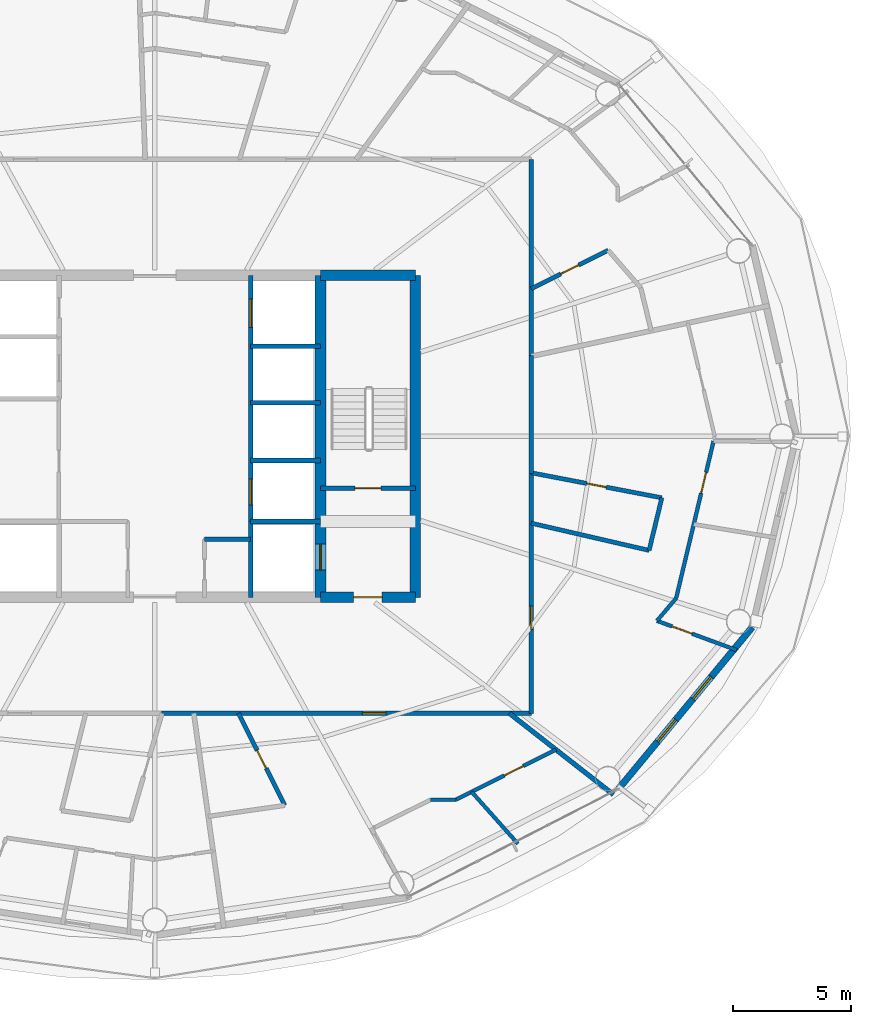
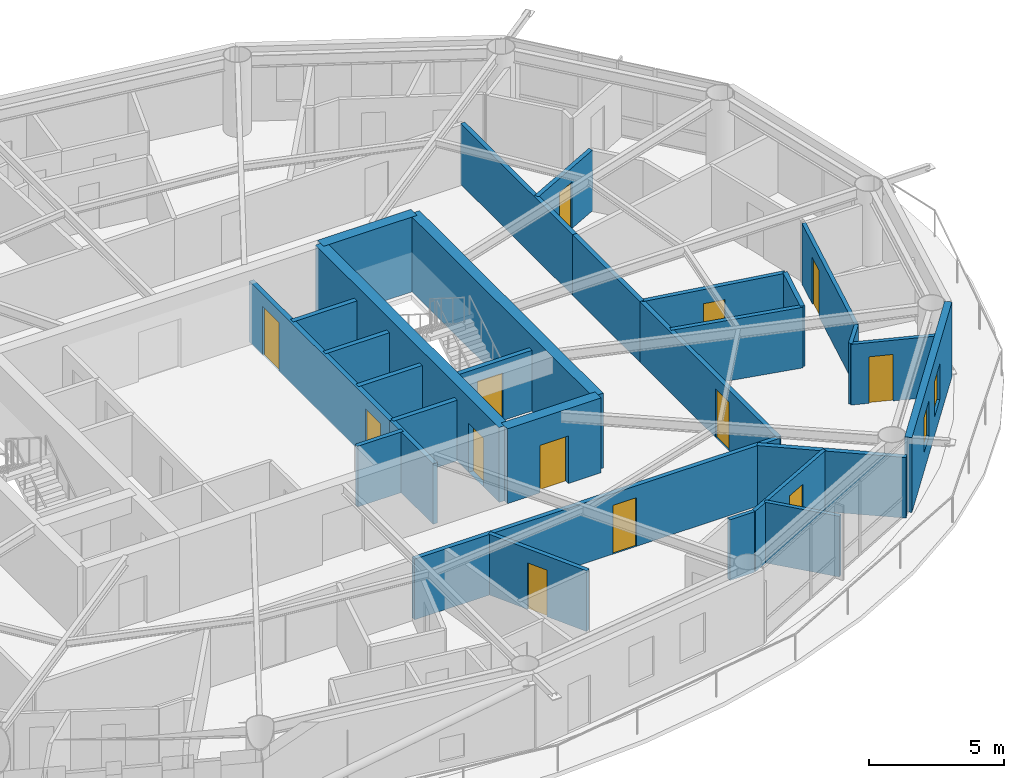
# One storey, part 23 of 30: 29 walls, 13 doors, 2 windows, 15 openings.
"""IFC4 building model written with IfcOpenShell, lengths in metres."""

from ifc_helpers import new_model, si_unit, direction, frame, frame_2d, origin, place, context, subcontext, project, spatial, rectangle, extrude, material, layer, layer_set, type_object, element, fill, save


model = new_model("IFC4")

# Units and contexts
model_context = context("Model", 3, precision=1e-05, world=origin(), true_north=direction((0.0, 1.0)))
body_context = subcontext(model_context, "Body", "Model", "MODEL_VIEW")
ifc_project = project(units=[si_unit("LENGTHUNIT", "METRE"), si_unit("AREAUNIT", "SQUARE_METRE"), si_unit("VOLUMEUNIT", "CUBIC_METRE"), si_unit("PLANEANGLEUNIT", "RADIAN"), si_unit("MASSUNIT", "GRAM", prefix="KILO")], contexts=[model_context])

# Site, building, storey
site_placement = place(None, origin())
site = spatial("IfcSite", under=ifc_project, at=site_placement, CompositionType="ELEMENT")
building_placement = place(site_placement, origin())
building = spatial("IfcBuilding", under=site, at=building_placement, Name="Sarneth Arch Tower", CompositionType="ELEMENT")
storey_placement = place(building_placement, frame((0.0, 0.0, 161.39990234375)))
storey = spatial("IfcBuildingStorey", under=building, at=storey_placement, Name="L40", CompositionType="ELEMENT", Elevation=161.39990234375)

# Wall, opening, door
ifc_material_1 = material(Name="Concrete C50/60", Category="concrete")
ifc_layer_1 = layer(ifc_material_1, 0.449951171875)
ifc_layer_set_1 = layer_set([ifc_layer_1], Name="Concrete C50/60")
wall_type_1 = type_object("IfcWallType", Name="WALL-CORE-450", PredefinedType="SHEAR", material=ifc_layer_set_1)
wall_1_placement = place(storey_placement, frame((55.0, 35.199951171875, 0.0), z_axis=(0.0, 0.0, 1.0), x_axis=(1.0, 0.0, 0.0)))
wall_1 = element("IfcWall", 1, at=wall_1_placement, inside=storey, type_object=wall_type_1, Name="L40 Core shear wall S-E", PredefinedType="SHEAR", context=body_context, shape_type="SweptSolid", body=[
    extrude(rectangle(XDim=4.0, YDim=0.449951171875, at=frame_2d((2.0, 0.0))), origin(), (0.0, 0.0, 1.0), 3.380126953125),
])
opening_1_placement = place(wall_1_placement, frame((1.39990234375, 0.0, 0.0)))
opening_1 = element("IfcOpeningElement", 2, at=opening_1_placement, cuts=wall_1, Name="Opening FD-02", PredefinedType="OPENING", context=body_context, shape_type="SweptSolid", body=[
    extrude(rectangle(XDim=1.199951171875, YDim=2.14990234375, at=frame_2d((0.60009765625, 1.074951171875))), frame((0.0, 0.23486328125, 0.0), z_axis=(0.0, -1.0, 0.0), x_axis=(1.0, 0.0, 0.0)), (0.0, 0.0, 1.0), 0.469970703125),
])
ifc_material_2 = material(Name="Galvanised Steel S275 fire door set", Category="steel")
door_type_1 = type_object("IfcDoorType", Name="DR-FD90-1200", OperationType="SINGLE_SWING_LEFT", PredefinedType="DOOR", material=ifc_material_2)
door_1_placement = place(opening_1_placement, origin())
door_1 = element("IfcDoor", 3, at=door_1_placement, inside=storey, type_object=door_type_1, Name="L40 Firefighting lobby 2 exit door", OperationType="SINGLE_SWING_RIGHT", OverallHeight=2.14990234375, OverallWidth=1.199951171875, PredefinedType="DOOR", context=body_context, shape_type="SweptSolid", body=[
    extrude(rectangle(XDim=1.199951171875, YDim=2.14990234375, at=frame_2d((0.60009765625, 1.074951171875))), frame((0.0, 0.02490234375, 0.0), z_axis=(0.0, -1.0, 0.0), x_axis=(1.0, 0.0, 0.0)), (0.0, 0.0, 1.0), 0.050048828125),
])
fill(opening_1, door_1)

# Walls
wall_2_placement = place(storey_placement, frame((55.0, 48.800048828125, 0.0), z_axis=(0.0, 0.0, 1.0), x_axis=(1.0, 0.0, 0.0)))
element("IfcWall", 4, at=wall_2_placement, inside=storey, type_object=wall_type_1, Name="L40 Core shear wall N-E", PredefinedType="SHEAR", context=body_context, shape_type="SweptSolid", body=[
    extrude(rectangle(XDim=4.0, YDim=0.449951171875, at=frame_2d((2.0, 0.0))), origin(), (0.0, 0.0, 1.0), 3.380126953125),
])
wall_3_placement = place(storey_placement, frame((59.0, 35.199951171875, 0.0), z_axis=(0.0, 0.0, 1.0), x_axis=(0.0, 1.0, 0.0)))
element("IfcWall", 5, at=wall_3_placement, inside=storey, type_object=wall_type_1, Name="L40 Core shear wall E", PredefinedType="SHEAR", context=body_context, shape_type="SweptSolid", body=[
    extrude(rectangle(XDim=13.60009765625, YDim=0.449951171875, at=frame_2d((6.800048828125, 0.0))), origin(), (0.0, 0.0, 1.0), 3.380126953125),
])

# Wall, opening, door
wall_4_placement = place(storey_placement, frame((55.0, 35.199951171875, 0.0), z_axis=(0.0, 0.0, 1.0), x_axis=(0.0, 1.0, 0.0)))
wall_4 = element("IfcWall", 6, at=wall_4_placement, inside=storey, type_object=wall_type_1, Name="L40 Core shear wall WEB-E", PredefinedType="SHEAR", context=body_context, shape_type="SweptSolid", body=[
    extrude(rectangle(XDim=13.60009765625, YDim=0.449951171875, at=frame_2d((6.800048828125, 0.0))), origin(), (0.0, 0.0, 1.0), 3.380126953125),
])
opening_2_placement = place(wall_4_placement, frame((1.14990234375, 0.0, 0.0)))
opening_2 = element("IfcOpeningElement", 7, at=opening_2_placement, cuts=wall_4, Name="Opening LD-1", PredefinedType="OPENING", context=body_context, shape_type="SweptSolid", body=[
    extrude(rectangle(XDim=1.10009765625, YDim=2.199951171875, at=frame_2d((0.550048828125, 1.10009765625))), frame((0.0, 0.23486328125, 0.0), z_axis=(0.0, -1.0, 0.0), x_axis=(1.0, 0.0, 0.0)), (0.0, 0.0, 1.0), 0.469970703125),
])
ifc_material_3 = material(Name="Brushed Stainless Steel 304 lift landing door", Category="steel")
door_type_2 = type_object("IfcDoorType", Name="DR-LIFT-SLIDE-1100", OperationType="SLIDING_TO_LEFT", PredefinedType="DOOR", material=ifc_material_3)
door_2_placement = place(opening_2_placement, origin())
door_2 = element("IfcDoor", 8, at=door_2_placement, inside=storey, type_object=door_type_2, Name="L40 Firefighting lift landing door FL-2", OperationType="SLIDING_TO_RIGHT", OverallHeight=2.199951171875, OverallWidth=1.10009765625, PredefinedType="DOOR", context=body_context, shape_type="SweptSolid", body=[
    extrude(rectangle(XDim=1.10009765625, YDim=2.199951171875, at=frame_2d((0.550048828125, 1.10009765625))), frame((0.0, 0.02490234375, 0.0), z_axis=(0.0, -1.0, 0.0), x_axis=(1.0, 0.0, 0.0)), (0.0, 0.0, 1.0), 0.050048828125),
])
fill(opening_2, door_2)

ifc_material_4 = material(Name="Double steel-stud corridor fire wall", Category="steel")
ifc_layer_2 = layer(ifc_material_4, 0.18994140625)
ifc_layer_set_2 = layer_set([ifc_layer_2], Name="Double steel-stud corridor fire wall")
wall_type_2 = type_object("IfcWallType", Name="WALL-CORR-190", PredefinedType="PARTITIONING", material=ifc_layer_set_2)
wall_5_placement = place(storey_placement, frame((63.89990234375, 30.300048828125, 0.0), z_axis=(0.0, 0.0, 1.0), x_axis=(-1.0, 0.0, 0.0)))
wall_5 = element("IfcWall", 9, at=wall_5_placement, inside=storey, type_object=wall_type_2, Name="L40 Interior partition W-L40-TP-017", PredefinedType="PARTITIONING", context=body_context, shape_type="SweptSolid", body=[
    extrude(rectangle(XDim=15.62548828125, YDim=0.18994140625, at=frame_2d((7.812744140625, 0.0))), origin(), (0.0, 0.0, 1.0), 2.739990234375),
])
opening_3_placement = place(wall_5_placement, frame((6.13720703125, 0.0, 0.0)))
opening_3 = element("IfcOpeningElement", 10, at=opening_3_placement, cuts=wall_5, Name="Opening FD-08", PredefinedType="OPENING", context=body_context, shape_type="SweptSolid", body=[
    extrude(rectangle(XDim=1.0, YDim=2.199951171875, at=frame_2d((0.5, 1.10009765625))), frame((0.0, 0.10498046875, 0.0), z_axis=(0.0, -1.0, 0.0), x_axis=(1.0, 0.0, 0.0)), (0.0, 0.0, 1.0), 0.2099609375),
])
ifc_material_5 = material(Name="Hardwood timber acoustic fire door", Category="wood")
door_type_3 = type_object("IfcDoorType", Name="DR-FD60-1000", OperationType="SINGLE_SWING_LEFT", PredefinedType="DOOR", material=ifc_material_5)
door_3_placement = place(opening_3_placement, origin())
door_3 = element("IfcDoor", 11, at=door_3_placement, inside=storey, type_object=door_type_3, Name="L40 Interior door DR-L40-U7-ENT", OperationType="SINGLE_SWING_LEFT", OverallHeight=2.199951171875, OverallWidth=1.0, PredefinedType="DOOR", context=body_context, shape_type="SweptSolid", body=[
    extrude(rectangle(XDim=1.0, YDim=2.199951171875, at=frame_2d((0.5, 1.10009765625))), frame((0.0, 0.02490234375, 0.0), z_axis=(0.0, -1.0, 0.0), x_axis=(1.0, 0.0, 0.0)), (0.0, 0.0, 1.0), 0.050048828125),
])
fill(opening_3, door_3)

wall_6_placement = place(storey_placement, frame((63.89990234375, 40.490478515625, 0.0), z_axis=(0.0, 0.0, 1.0), x_axis=(0.0, -1.0, 0.0)))
wall_6 = element("IfcWall", 12, at=wall_6_placement, inside=storey, type_object=wall_type_2, Name="L40 Interior partition W-L40-TP-019", PredefinedType="PARTITIONING", context=body_context, shape_type="SweptSolid", body=[
    extrude(rectangle(XDim=10.1904296875, YDim=0.18994140625, at=frame_2d((5.09521484375, 0.0))), origin(), (0.0, 0.0, 1.0), 2.739990234375),
])
opening_4_placement = place(wall_6_placement, frame((5.659423828125, 0.0, 0.0)))
opening_4 = element("IfcOpeningElement", 13, at=opening_4_placement, cuts=wall_6, Name="Opening FD-08", PredefinedType="OPENING", context=body_context, shape_type="SweptSolid", body=[
    extrude(rectangle(XDim=1.0, YDim=2.199951171875, at=frame_2d((0.5, 1.10009765625))), frame((0.0, 0.10498046875, 0.0), z_axis=(0.0, -1.0, 0.0), x_axis=(1.0, 0.0, 0.0)), (0.0, 0.0, 1.0), 0.2099609375),
])
door_4_placement = place(opening_4_placement, origin())
door_4 = element("IfcDoor", 14, at=door_4_placement, inside=storey, type_object=door_type_3, Name="L40 Interior door DR-L40-U8-ENT", OperationType="SINGLE_SWING_LEFT", OverallHeight=2.199951171875, OverallWidth=1.0, PredefinedType="DOOR", context=body_context, shape_type="SweptSolid", body=[
    extrude(rectangle(XDim=1.0, YDim=2.199951171875, at=frame_2d((0.5, 1.10009765625))), frame((0.0, 0.02490234375, 0.0), z_axis=(0.0, -1.0, 0.0), x_axis=(1.0, 0.0, 0.0)), (0.0, 0.0, 1.0), 0.050048828125),
])
fill(opening_4, door_4)

# Walls
wall_7_placement = place(storey_placement, frame((63.89990234375, 53.699951171875, 0.0), z_axis=(0.0, 0.0, 1.0), x_axis=(0.0, -1.0, 0.0)))
element("IfcWall", 15, at=wall_7_placement, inside=storey, type_object=wall_type_2, Name="L40 Interior partition W-L40-TP-002", PredefinedType="PARTITIONING", context=body_context, shape_type="SweptSolid", body=[
    extrude(rectangle(XDim=8.3203125, YDim=0.18994140625, at=frame_2d((4.16015625, 0.0))), origin(), (0.0, 0.0, 1.0), 2.739990234375),
])
wall_8_placement = place(storey_placement, frame((63.89990234375, 45.412353515625, 0.0), z_axis=(0.0, 0.0, 1.0), x_axis=(0.0, -1.0, 0.0)))
element("IfcWall", 16, at=wall_8_placement, inside=storey, type_object=wall_type_2, Name="L40 Interior partition W-L40-TP-021", PredefinedType="PARTITIONING", context=body_context, shape_type="SweptSolid", body=[
    extrude(rectangle(XDim=4.987060546875, YDim=0.18994140625, at=frame_2d((2.49365234375, 0.0))), origin(), (0.0, 0.0, 1.0), 2.739990234375),
])

# Wall, openings, windows
ifc_material_6 = material(Name="Extruded terracotta rainscreen on Concrete C40/50 backing", Category="masonry")
ifc_layer_3 = layer(ifc_material_6, 0.280029296875)
ifc_layer_set_3 = layer_set([ifc_layer_3], Name="Extruded terracotta rainscreen on Concrete C40/50 backing")
wall_type_3 = type_object("IfcWallType", Name="WALL-EXT-TERRA-280", PredefinedType="SOLIDWALL", material=ifc_layer_set_3)
wall_9_placement = place(storey_placement, frame((67.576171875, 27.09423828125, 0.0), z_axis=(0.0, 0.0, 1.0), x_axis=(0.637333477683, 0.770588111915, 0.0)))
wall_9 = element("IfcWall", 17, at=wall_9_placement, inside=storey, type_object=wall_type_3, Name="L40 Terracotta perimeter wall 15", PredefinedType="SOLIDWALL", context=body_context, shape_type="SweptSolid", body=[
    extrude(rectangle(XDim=8.874755859375, YDim=0.280029296875, at=frame_2d((4.4375, 0.0))), origin(), (0.0, 0.0, 1.0), 3.380126953125),
])
opening_5_placement = place(wall_9_placement, frame((2.606689453125, 0.0, 0.85009765625)))
opening_5 = element("IfcOpeningElement", 18, at=opening_5_placement, cuts=wall_9, Name="Opening W-10", PredefinedType="OPENING", context=body_context, shape_type="SweptSolid", body=[
    extrude(rectangle(XDim=1.199951171875, YDim=1.60009765625, at=frame_2d((0.60009765625, 0.800048828125))), frame((0.0, 0.14990234375, 0.0), z_axis=(0.0, -1.0, 0.0), x_axis=(1.0, 0.0, 0.0)), (0.0, 0.0, 1.0), 0.300048828125),
])
opening_6_placement = place(wall_9_placement, frame((4.951904296875, 0.0, 0.85009765625)))
opening_6 = element("IfcOpeningElement", 19, at=opening_6_placement, cuts=wall_9, Name="Opening W-10", PredefinedType="OPENING", context=body_context, shape_type="SweptSolid", body=[
    extrude(rectangle(XDim=1.199951171875, YDim=1.60009765625, at=frame_2d((0.60009765625, 0.800048828125))), frame((0.0, 0.14990234375, 0.0), z_axis=(0.0, -1.0, 0.0), x_axis=(1.0, 0.0, 0.0)), (0.0, 0.0, 1.0), 0.300048828125),
])
ifc_material_7 = material(Name="Thermally broken Aluminium 6063-T6 and low-e laminated IGU", Category="aluminium")
window_type = type_object("IfcWindowType", Name="WIN-TWR-1200x1600", PartitioningType="SINGLE_PANEL", PredefinedType="WINDOW", material=ifc_material_7)
window_1_placement = place(opening_5_placement, origin())
window_1 = element("IfcWindow", 20, at=window_1_placement, inside=storey, type_object=window_type, Name="L40 Exterior window 15A", OverallHeight=1.60009765625, OverallWidth=1.199951171875, PartitioningType="SINGLE_PANEL", PredefinedType="WINDOW", context=body_context, shape_type="SweptSolid", body=[
    extrude(rectangle(XDim=1.199951171875, YDim=1.60009765625, at=frame_2d((0.60009765625, 0.800048828125))), frame((0.0, 0.030029296875, 0.0), z_axis=(0.0, -1.0, 0.0), x_axis=(1.0, 0.0, 0.0)), (0.0, 0.0, 1.0), 0.06005859375),
])
fill(opening_5, window_1)
window_2_placement = place(opening_6_placement, origin())
window_2 = element("IfcWindow", 21, at=window_2_placement, inside=storey, type_object=window_type, Name="L40 Exterior window 15B", OverallHeight=1.60009765625, OverallWidth=1.199951171875, PartitioningType="SINGLE_PANEL", PredefinedType="WINDOW", context=body_context, shape_type="SweptSolid", body=[
    extrude(rectangle(XDim=1.199951171875, YDim=1.60009765625, at=frame_2d((0.60009765625, 0.800048828125))), frame((0.0, 0.030029296875, 0.0), z_axis=(0.0, -1.0, 0.0), x_axis=(1.0, 0.0, 0.0)), (0.0, 0.0, 1.0), 0.06005859375),
])
fill(opening_6, window_2)

# Wall, opening, door
ifc_material_8 = material(Name="Kitchen wet service chase wall", Category="gypsum")
ifc_layer_4 = layer(ifc_material_8, 0.159912109375)
ifc_layer_set_4 = layer_set([ifc_layer_4], Name="Kitchen wet service chase wall")
wall_type_4 = type_object("IfcWallType", Name="WALL-PLUMB-160", PredefinedType="PLUMBINGWALL", material=ifc_layer_set_4)
wall_10_placement = place(storey_placement, frame((60.71337890625, 26.64990234375, 0.0), z_axis=(0.0, 0.0, 1.0), x_axis=(0.894932492822, 0.446201561283, 0.0)))
wall_10 = element("IfcWall", 22, at=wall_10_placement, inside=storey, type_object=wall_type_4, Name="L40 Interior partition W-L40-TP-105", PredefinedType="PLUMBINGWALL", context=body_context, shape_type="SweptSolid", body=[
    extrude(rectangle(XDim=4.7294921875, YDim=0.159912109375, at=frame_2d((2.36474609375, 0.0))), origin(), (0.0, 0.0, 1.0), 2.739990234375),
])
opening_7_placement = place(wall_10_placement, frame((2.287841796875, 0.0, 0.0)))
opening_7 = element("IfcOpeningElement", 23, at=opening_7_placement, cuts=wall_10, Name="Opening ID-01", PredefinedType="OPENING", context=body_context, shape_type="SweptSolid", body=[
    extrude(rectangle(XDim=0.89990234375, YDim=2.10009765625, at=frame_2d((0.449951171875, 1.050048828125))), frame((0.0, 0.08984375, 0.0), z_axis=(0.0, -1.0, 0.0), x_axis=(1.0, 0.0, 0.0)), (0.0, 0.0, 1.0), 0.179931640625),
])
ifc_material_9 = material(Name="Engineered hardwood flush door", Category="wood")
door_type_4 = type_object("IfcDoorType", Name="DR-INT-900", OperationType="SINGLE_SWING_LEFT", PredefinedType="DOOR", material=ifc_material_9)
door_5_placement = place(opening_7_placement, origin())
door_5 = element("IfcDoor", 24, at=door_5_placement, inside=storey, type_object=door_type_4, Name="L40 Interior door DR-L40-U7-BED1", OperationType="SINGLE_SWING_LEFT", OverallHeight=2.10009765625, OverallWidth=0.89990234375, PredefinedType="DOOR", context=body_context, shape_type="SweptSolid", body=[
    extrude(rectangle(XDim=0.89990234375, YDim=2.10009765625, at=frame_2d((0.449951171875, 1.050048828125))), frame((0.0, 0.02490234375, 0.0), z_axis=(0.0, -1.0, 0.0), x_axis=(1.0, 0.0, 0.0)), (0.0, 0.0, 1.0), 0.050048828125),
])
fill(opening_7, door_5)

wall_11_placement = place(storey_placement, frame((70.019287109375, 35.15771484375, 0.0), z_axis=(0.0, 0.0, 1.0), x_axis=(0.231657621012, 0.972797382103, 0.0)))
wall_11 = element("IfcWall", 25, at=wall_11_placement, inside=storey, type_object=wall_type_4, Name="L40 Interior partition W-L40-TP-115", PredefinedType="PLUMBINGWALL", context=body_context, shape_type="SweptSolid", body=[
    extrude(rectangle(XDim=6.82177734375, YDim=0.159912109375, at=frame_2d((3.410888671875, 0.0))), origin(), (0.0, 0.0, 1.0), 2.739990234375),
])
opening_8_placement = place(wall_11_placement, frame((4.566650390625, 0.0, 0.0)))
opening_8 = element("IfcOpeningElement", 26, at=opening_8_placement, cuts=wall_11, Name="Opening ID-01", PredefinedType="OPENING", context=body_context, shape_type="SweptSolid", body=[
    extrude(rectangle(XDim=0.89990234375, YDim=2.10009765625, at=frame_2d((0.449951171875, 1.050048828125))), frame((0.0, 0.08984375, 0.0), z_axis=(0.0, -1.0, 0.0), x_axis=(1.0, 0.0, 0.0)), (0.0, 0.0, 1.0), 0.179931640625),
])
door_6_placement = place(opening_8_placement, origin())
door_6 = element("IfcDoor", 27, at=door_6_placement, inside=storey, type_object=door_type_4, Name="L40 Interior door DR-L40-U8-BED1", OperationType="SINGLE_SWING_LEFT", OverallHeight=2.10009765625, OverallWidth=0.89990234375, PredefinedType="DOOR", context=body_context, shape_type="SweptSolid", body=[
    extrude(rectangle(XDim=0.89990234375, YDim=2.10009765625, at=frame_2d((0.449951171875, 1.050048828125))), frame((0.0, 0.02490234375, 0.0), z_axis=(0.0, -1.0, 0.0), x_axis=(1.0, 0.0, 0.0)), (0.0, 0.0, 1.0), 0.050048828125),
])
fill(opening_8, door_6)

wall_12_placement = place(storey_placement, frame((69.20849609375, 34.204833984375, 0.0), z_axis=(0.0, 0.0, 1.0), x_axis=(0.938602834346, -0.344999593272, 0.0)))
wall_12 = element("IfcWall", 28, at=wall_12_placement, inside=storey, type_object=wall_type_4, Name="L40 Interior partition W-L40-TP-111", PredefinedType="PLUMBINGWALL", context=body_context, shape_type="SweptSolid", body=[
    extrude(rectangle(XDim=3.59130859375, YDim=0.159912109375, at=frame_2d((1.795654296875, 0.0))), origin(), (0.0, 0.0, 1.0), 2.739990234375),
])
opening_9_placement = place(wall_12_placement, frame((0.685546875, 0.0, 0.0)))
opening_9 = element("IfcOpeningElement", 29, at=opening_9_placement, cuts=wall_12, Name="Opening ID-01", PredefinedType="OPENING", context=body_context, shape_type="SweptSolid", body=[
    extrude(rectangle(XDim=0.89990234375, YDim=2.10009765625, at=frame_2d((0.449951171875, 1.050048828125))), frame((0.0, 0.08984375, 0.0), z_axis=(0.0, -1.0, 0.0), x_axis=(1.0, 0.0, 0.0)), (0.0, 0.0, 1.0), 0.179931640625),
])
door_7_placement = place(opening_9_placement, origin())
door_7 = element("IfcDoor", 30, at=door_7_placement, inside=storey, type_object=door_type_4, Name="L40 Interior door DR-L40-U8-KIT", OperationType="SINGLE_SWING_LEFT", OverallHeight=2.10009765625, OverallWidth=0.89990234375, PredefinedType="DOOR", context=body_context, shape_type="SweptSolid", body=[
    extrude(rectangle(XDim=0.89990234375, YDim=2.10009765625, at=frame_2d((0.449951171875, 1.050048828125))), frame((0.0, 0.02490234375, 0.0), z_axis=(0.0, -1.0, 0.0), x_axis=(1.0, 0.0, 0.0)), (0.0, 0.0, 1.0), 0.050048828125),
])
fill(opening_9, door_7)

# Walls
wall_13_placement = place(storey_placement, frame((63.335205078125, 24.78955078125, 0.0), z_axis=(0.0, 0.0, 1.0), x_axis=(-0.665255741341, 0.746615562799, 0.0)))
element("IfcWall", 31, at=wall_13_placement, inside=storey, type_object=wall_type_4, Name="L40 Interior partition W-L40-TP-107", PredefinedType="PLUMBINGWALL", context=body_context, shape_type="SweptSolid", body=[
    extrude(rectangle(XDim=2.937744140625, YDim=0.159912109375, at=frame_2d((1.46875, 0.0))), origin(), (0.0, 0.0, 1.0), 2.739990234375),
])
wall_14_placement = place(storey_placement, frame((70.01953125, 35.15771484375, 0.0), z_axis=(0.0, 0.0, 1.0), x_axis=(-0.648152333742, -0.761510703972, 0.0)))
element("IfcWall", 32, at=wall_14_placement, inside=storey, type_object=wall_type_4, Name="L40 Interior partition W-L40-TP-110", PredefinedType="PLUMBINGWALL", context=body_context, shape_type="SweptSolid", body=[
    extrude(rectangle(XDim=1.251220703125, YDim=0.159912109375, at=frame_2d((0.62548828125, 0.0))), origin(), (0.0, 0.0, 1.0), 2.739990234375),
])
wall_15_placement = place(storey_placement, frame((60.71337890625, 26.64990234375, 0.0), z_axis=(0.0, 0.0, 1.0), x_axis=(-1.0, 0.0, 0.0)))
element("IfcWall", 33, at=wall_15_placement, inside=storey, type_object=wall_type_4, Name="L40 Interior partition W-L40-TP-099", PredefinedType="PLUMBINGWALL", context=body_context, shape_type="SweptSolid", body=[
    extrude(rectangle(XDim=1.062255859375, YDim=0.159912109375, at=frame_2d((0.53125, 0.0))), origin(), (0.0, 0.0, 1.0), 2.739990234375),
])
ifc_material_10 = material(Name="Moisture-resistant plumbing chase wall", Category="gypsum")
ifc_layer_5 = layer(ifc_material_10, 0.179931640625)
ifc_layer_set_5 = layer_set([ifc_layer_5], Name="Moisture-resistant plumbing chase wall")
wall_type_5 = type_object("IfcWallType", Name="WALL-PLUMB-180", PredefinedType="PLUMBINGWALL", material=ifc_layer_set_5)
wall_16_placement = place(storey_placement, frame((50.10009765625, 37.64990234375, 0.0), z_axis=(0.0, 0.0, 1.0), x_axis=(1.0, 0.0, 0.0)))
element("IfcWall", 34, at=wall_16_placement, inside=storey, type_object=wall_type_5, Name="L40 Interior partition W-L40-AWC-N", PredefinedType="PLUMBINGWALL", context=body_context, shape_type="SweptSolid", body=[
    extrude(rectangle(XDim=1.949951171875, YDim=0.179931640625, at=frame_2d((0.97509765625, 0.0))), origin(), (0.0, 0.0, 1.0), 2.739990234375),
])

# Wall, opening, door
wall_17_placement = place(storey_placement, frame((69.4150390625, 39.400146484375, 0.0), z_axis=(0.0, 0.0, 1.0), x_axis=(-0.98210492306, 0.188334596135, 0.0)))
wall_17 = element("IfcWall", 35, at=wall_17_placement, inside=storey, type_object=wall_type_5, Name="L40 Interior partition W-L40-TP-114", PredefinedType="PLUMBINGWALL", context=body_context, shape_type="SweptSolid", body=[
    extrude(rectangle(XDim=5.61572265625, YDim=0.179931640625, at=frame_2d((2.807861328125, 0.0))), origin(), (0.0, 0.0, 1.0), 2.739990234375),
])
opening_10_placement = place(wall_17_placement, frame((2.3828125, 0.0, 0.0)))
opening_10 = element("IfcOpeningElement", 36, at=opening_10_placement, cuts=wall_17, Name="Opening ID-02", PredefinedType="OPENING", context=body_context, shape_type="SweptSolid", body=[
    extrude(rectangle(XDim=0.85009765625, YDim=2.10009765625, at=frame_2d((0.425048828125, 1.050048828125))), frame((0.0, 0.099853515625, 0.0), z_axis=(0.0, -1.0, 0.0), x_axis=(1.0, 0.0, 0.0)), (0.0, 0.0, 1.0), 0.199951171875),
])
ifc_material_11 = material(Name="Moisture-resistant bathroom timber door", Category="wood")
door_type_5 = type_object("IfcDoorType", Name="DR-INT-850", OperationType="SINGLE_SWING_RIGHT", PredefinedType="DOOR", material=ifc_material_11)
door_8_placement = place(opening_10_placement, origin())
door_8 = element("IfcDoor", 37, at=door_8_placement, inside=storey, type_object=door_type_5, Name="L40 Interior door DR-L40-U8-BATH", OperationType="SINGLE_SWING_RIGHT", OverallHeight=2.10009765625, OverallWidth=0.85009765625, PredefinedType="DOOR", context=body_context, shape_type="SweptSolid", body=[
    extrude(rectangle(XDim=0.85009765625, YDim=2.10009765625, at=frame_2d((0.425048828125, 1.050048828125))), frame((0.0, 0.02490234375, 0.0), z_axis=(0.0, -1.0, 0.0), x_axis=(1.0, 0.0, 0.0)), (0.0, 0.0, 1.0), 0.050048828125),
])
fill(opening_10, door_8)

# Wall
wall_18_placement = place(storey_placement, frame((63.89990234375, 38.3291015625, 0.0), z_axis=(0.0, 0.0, 1.0), x_axis=(0.974377500084, -0.224918846098, 0.0)))
element("IfcWall", 38, at=wall_18_placement, inside=storey, type_object=wall_type_5, Name="L40 Interior partition W-L40-TP-112", PredefinedType="PLUMBINGWALL", context=body_context, shape_type="SweptSolid", body=[
    extrude(rectangle(XDim=5.108154296875, YDim=0.179931640625, at=frame_2d((2.55419921875, 0.0))), origin(), (0.0, 0.0, 1.0), 2.739990234375),
])

# Wall, opening, door
wall_19_placement = place(storey_placement, frame((53.493896484375, 26.40966796875, 0.0), z_axis=(0.0, 0.0, 1.0), x_axis=(-0.449879384809, 0.89308932315, 0.0)))
wall_19 = element("IfcWall", 39, at=wall_19_placement, inside=storey, type_object=wall_type_5, Name="L40 Interior partition W-L40-TP-104", PredefinedType="PLUMBINGWALL", context=body_context, shape_type="SweptSolid", body=[
    extrude(rectangle(XDim=4.356201171875, YDim=0.179931640625, at=frame_2d((2.17822265625, 0.0))), origin(), (0.0, 0.0, 1.0), 2.739990234375),
])
opening_11_placement = place(wall_19_placement, frame((1.7529296875, 0.0, 0.0)))
opening_11 = element("IfcOpeningElement", 40, at=opening_11_placement, cuts=wall_19, Name="Opening ID-02", PredefinedType="OPENING", context=body_context, shape_type="SweptSolid", body=[
    extrude(rectangle(XDim=0.85009765625, YDim=2.10009765625, at=frame_2d((0.425048828125, 1.050048828125))), frame((0.0, 0.099853515625, 0.0), z_axis=(0.0, -1.0, 0.0), x_axis=(1.0, 0.0, 0.0)), (0.0, 0.0, 1.0), 0.199951171875),
])
door_9_placement = place(opening_11_placement, origin())
door_9 = element("IfcDoor", 41, at=door_9_placement, inside=storey, type_object=door_type_5, Name="L40 Interior door DR-L40-U7-BATH", OperationType="SINGLE_SWING_LEFT", OverallHeight=2.10009765625, OverallWidth=0.85009765625, PredefinedType="DOOR", context=body_context, shape_type="SweptSolid", body=[
    extrude(rectangle(XDim=0.85009765625, YDim=2.10009765625, at=frame_2d((0.425048828125, 1.050048828125))), frame((0.0, 0.02490234375, 0.0), z_axis=(0.0, -1.0, 0.0), x_axis=(1.0, 0.0, 0.0)), (0.0, 0.0, 1.0), 0.050048828125),
])
fill(opening_11, door_9)

wall_20_placement = place(storey_placement, frame((67.151611328125, 49.855712890625, 0.0), z_axis=(0.0, 0.0, 1.0), x_axis=(-0.894843352961, -0.446380301605, 0.0)))
wall_20 = element("IfcWall", 42, at=wall_20_placement, inside=storey, type_object=wall_type_5, Name="L40 Interior partition W-L40-TP-028", PredefinedType="PLUMBINGWALL", context=body_context, shape_type="SweptSolid", body=[
    extrude(rectangle(XDim=3.6337890625, YDim=0.179931640625, at=frame_2d((1.81689453125, 0.0))), origin(), (0.0, 0.0, 1.0), 2.739990234375),
])
opening_12_placement = place(wall_20_placement, frame((1.391845703125, 0.0, 0.0)))
opening_12 = element("IfcOpeningElement", 43, at=opening_12_placement, cuts=wall_20, Name="Opening ID-02", PredefinedType="OPENING", context=body_context, shape_type="SweptSolid", body=[
    extrude(rectangle(XDim=0.85009765625, YDim=2.10009765625, at=frame_2d((0.425048828125, 1.050048828125))), frame((0.0, 0.099853515625, 0.0), z_axis=(0.0, -1.0, 0.0), x_axis=(1.0, 0.0, 0.0)), (0.0, 0.0, 1.0), 0.199951171875),
])
door_10_placement = place(opening_12_placement, origin())
door_10 = element("IfcDoor", 44, at=door_10_placement, inside=storey, type_object=door_type_5, Name="L40 Interior door DR-L40-U1-BATH", OperationType="SINGLE_SWING_RIGHT", OverallHeight=2.10009765625, OverallWidth=0.85009765625, PredefinedType="DOOR", context=body_context, shape_type="SweptSolid", body=[
    extrude(rectangle(XDim=0.85009765625, YDim=2.10009765625, at=frame_2d((0.425048828125, 1.050048828125))), frame((0.0, 0.02490234375, 0.0), z_axis=(0.0, -1.0, 0.0), x_axis=(1.0, 0.0, 0.0)), (0.0, 0.0, 1.0), 0.050048828125),
])
fill(opening_12, door_10)

# Wall
wall_21_placement = place(storey_placement, frame((68.877197265625, 37.18017578125, 0.0), z_axis=(0.0, 0.0, 1.0), x_axis=(0.235462364404, 0.971883467783, 0.0)))
element("IfcWall", 45, at=wall_21_placement, inside=storey, type_object=wall_type_5, Name="L40 Interior partition W-L40-TP-113", PredefinedType="PLUMBINGWALL", context=body_context, shape_type="SweptSolid", body=[
    extrude(rectangle(XDim=2.2841796875, YDim=0.179931640625, at=frame_2d((1.14208984375, 0.0))), origin(), (0.0, 0.0, 1.0), 2.739990234375),
])

# Wall, opening, door
ifc_material_12 = material(Name="Aerated concrete blockwork C25/30", Category="masonry")
ifc_layer_6 = layer(ifc_material_12, 0.199951171875)
ifc_layer_set_6 = layer_set([ifc_layer_6], Name="Aerated concrete blockwork C25/30")
wall_type_6 = type_object("IfcWallType", Name="WALL-SHAFT-200", PredefinedType="SOLIDWALL", material=ifc_layer_set_6)
wall_22_placement = place(storey_placement, frame((55.0, 39.800048828125, 0.0), z_axis=(0.0, 0.0, 1.0), x_axis=(1.0, 0.0, 0.0)))
wall_22 = element("IfcWall", 46, at=wall_22_placement, inside=storey, type_object=wall_type_6, Name="L40 Interior partition W-L40-ST2-S", PredefinedType="SOLIDWALL", context=body_context, shape_type="SweptSolid", body=[
    extrude(rectangle(XDim=4.0, YDim=0.199951171875, at=frame_2d((2.0, 0.0))), origin(), (0.0, 0.0, 1.0), 2.739990234375),
])
opening_13_placement = place(wall_22_placement, frame((1.449951171875, 0.0, 0.0)))
opening_13 = element("IfcOpeningElement", 47, at=opening_13_placement, cuts=wall_22, Name="Opening FD-03", PredefinedType="OPENING", context=body_context, shape_type="SweptSolid", body=[
    extrude(rectangle(XDim=1.10009765625, YDim=2.14990234375, at=frame_2d((0.550048828125, 1.074951171875))), frame((0.0, 0.10986328125, 0.0), z_axis=(0.0, -1.0, 0.0), x_axis=(1.0, 0.0, 0.0)), (0.0, 0.0, 1.0), 0.219970703125),
])
ifc_material_13 = material(Name="Galvanised Steel S275 fire door set", Category="steel")
door_type_6 = type_object("IfcDoorType", Name="DR-FD90-1100", OperationType="SINGLE_SWING_LEFT", PredefinedType="DOOR", material=ifc_material_13)
door_11_placement = place(opening_13_placement, origin())
door_11 = element("IfcDoor", 48, at=door_11_placement, inside=storey, type_object=door_type_6, Name="L40 Interior door DR-L40-ST2", OperationType="SINGLE_SWING_RIGHT", OverallHeight=2.14990234375, OverallWidth=1.10009765625, PredefinedType="DOOR", context=body_context, shape_type="SweptSolid", body=[
    extrude(rectangle(XDim=1.10009765625, YDim=2.14990234375, at=frame_2d((0.550048828125, 1.074951171875))), frame((0.0, 0.02490234375, 0.0), z_axis=(0.0, -1.0, 0.0), x_axis=(1.0, 0.0, 0.0)), (0.0, 0.0, 1.0), 0.050048828125),
])
fill(opening_13, door_11)

# Walls
wall_23_placement = place(storey_placement, frame((52.050048828125, 35.199951171875, 0.0), z_axis=(0.0, 0.0, 1.0), x_axis=(0.0, 1.0, 0.0)))
element("IfcWall", 49, at=wall_23_placement, inside=storey, type_object=wall_type_6, Name="L40 Interior partition W-L40-FL2-W", PredefinedType="SOLIDWALL", context=body_context, shape_type="SweptSolid", body=[
    extrude(rectangle(XDim=3.199951171875, YDim=0.199951171875, at=frame_2d((1.60009765625, 0.0))), origin(), (0.0, 0.0, 1.0), 2.739990234375),
])
wall_24_placement = place(storey_placement, frame((52.050048828125, 38.39990234375, 0.0), z_axis=(0.0, 0.0, 1.0), x_axis=(1.0, 0.0, 0.0)))
element("IfcWall", 50, at=wall_24_placement, inside=storey, type_object=wall_type_6, Name="L40 Interior partition W-L40-FL2-N", PredefinedType="SOLIDWALL", context=body_context, shape_type="SweptSolid", body=[
    extrude(rectangle(XDim=2.949951171875, YDim=0.199951171875, at=frame_2d((1.47509765625, 0.0))), origin(), (0.0, 0.0, 1.0), 2.739990234375),
])

# Wall, openings, doors
wall_25_placement = place(storey_placement, frame((52.050048828125, 38.39990234375, 0.0), z_axis=(0.0, 0.0, 1.0), x_axis=(0.0, 1.0, 0.0)))
wall_25 = element("IfcWall", 51, at=wall_25_placement, inside=storey, type_object=wall_type_6, Name="L40 Interior partition W-L40-EASTBANK-FRONT", PredefinedType="SOLIDWALL", context=body_context, shape_type="SweptSolid", body=[
    extrude(rectangle(XDim=10.400146484375, YDim=0.199951171875, at=frame_2d((5.2001953125, 0.0))), origin(), (0.0, 0.0, 1.0), 2.739990234375),
])
opening_14_placement = place(wall_25_placement, frame((0.699951171875, 0.0, 0.0)))
opening_14 = element("IfcOpeningElement", 52, at=opening_14_placement, cuts=wall_25, Name="Opening LD-1", PredefinedType="OPENING", context=body_context, shape_type="SweptSolid", body=[
    extrude(rectangle(XDim=1.10009765625, YDim=2.199951171875, at=frame_2d((0.550048828125, 1.10009765625))), frame((0.0, 0.10986328125, 0.0), z_axis=(0.0, -1.0, 0.0), x_axis=(1.0, 0.0, 0.0)), (0.0, 0.0, 1.0), 0.219970703125),
])
opening_15_placement = place(wall_25_placement, frame((8.199951171875, 0.0, 0.0)))
opening_15 = element("IfcOpeningElement", 53, at=opening_15_placement, cuts=wall_25, Name="Opening LD-2", PredefinedType="OPENING", context=body_context, shape_type="SweptSolid", body=[
    extrude(rectangle(XDim=1.199951171875, YDim=2.199951171875, at=frame_2d((0.60009765625, 1.10009765625))), frame((0.0, 0.10986328125, 0.0), z_axis=(0.0, -1.0, 0.0), x_axis=(1.0, 0.0, 0.0)), (0.0, 0.0, 1.0), 0.219970703125),
])
door_12_placement = place(opening_14_placement, origin())
door_12 = element("IfcDoor", 54, at=door_12_placement, inside=storey, type_object=door_type_2, Name="L40 Lift landing door DR-L40-LD-PM2", OperationType="SLIDING_TO_LEFT", OverallHeight=2.199951171875, OverallWidth=1.10009765625, PredefinedType="DOOR", context=body_context, shape_type="SweptSolid", body=[
    extrude(rectangle(XDim=1.10009765625, YDim=2.199951171875, at=frame_2d((0.550048828125, 1.10009765625))), frame((0.0, 0.02490234375, 0.0), z_axis=(0.0, -1.0, 0.0), x_axis=(1.0, 0.0, 0.0)), (0.0, 0.0, 1.0), 0.050048828125),
])
fill(opening_14, door_12)
ifc_material_14 = material(Name="Brushed Stainless Steel 304 service lift door", Category="steel")
door_type_7 = type_object("IfcDoorType", Name="DR-LIFT-SLIDE-1200", OperationType="SLIDING_TO_RIGHT", PredefinedType="DOOR", material=ifc_material_14)
door_13_placement = place(opening_15_placement, origin())
door_13 = element("IfcDoor", 55, at=door_13_placement, inside=storey, type_object=door_type_7, Name="L40 Lift landing door DR-L40-LD-SL1", OperationType="SLIDING_TO_RIGHT", OverallHeight=2.199951171875, OverallWidth=1.199951171875, PredefinedType="DOOR", context=body_context, shape_type="SweptSolid", body=[
    extrude(rectangle(XDim=1.199951171875, YDim=2.199951171875, at=frame_2d((0.60009765625, 1.10009765625))), frame((0.0, 0.02490234375, 0.0), z_axis=(0.0, -1.0, 0.0), x_axis=(1.0, 0.0, 0.0)), (0.0, 0.0, 1.0), 0.050048828125),
])
fill(opening_15, door_13)

# Walls
for number, where, z_axis, x_axis, name in (
    (56, (52.050048828125, 40.97998046875, 0.0), (0.0, 0.0, 1.0), (1.0, 0.0, 0.0), "L40 Interior partition W-L40-EB-DIV-4098"),
    (57, (52.050048828125, 43.419921875, 0.0), (0.0, 0.0, 1.0), (1.0, 0.0, 0.0), "L40 Interior partition W-L40-EB-DIV-4342"),
    (58, (52.050048828125, 45.800048828125, 0.0), (0.0, 0.0, 1.0), (1.0, 0.0, 0.0), "L40 Interior partition W-L40-EB-DIV-4580"),
):
    element("IfcWall", number, at=place(storey_placement, frame(where, z_axis=z_axis, x_axis=x_axis)), inside=storey, type_object=wall_type_6, Name=name, PredefinedType="SOLIDWALL", context=body_context, shape_type="SweptSolid", body=[
        extrude(rectangle(XDim=2.949951171875, YDim=0.199951171875, at=frame_2d((1.47509765625, 0.0))), origin(), (0.0, 0.0, 1.0), 2.739990234375),
    ])
ifc_material_15 = material(Name="Double steel-stud acoustic drywall", Category="steel")
ifc_layer_7 = layer(ifc_material_15, 0.199951171875)
ifc_layer_set_7 = layer_set([ifc_layer_7], Name="Double steel-stud acoustic drywall")
wall_type_7 = type_object("IfcWallType", Name="WALL-UNIT-200", PredefinedType="PARTITIONING", material=ifc_layer_set_7)
wall_26_placement = place(storey_placement, frame((67.370361328125, 26.8662109375, 0.0), z_axis=(0.0, 0.0, 1.0), x_axis=(-0.788004464355, 0.615669525117, 0.0)))
element("IfcWall", 59, at=wall_26_placement, inside=storey, type_object=wall_type_7, Name="L40 Interior partition W-L40-TP-108", PredefinedType="PARTITIONING", context=body_context, shape_type="SweptSolid", body=[
    extrude(rectangle(XDim=5.577392578125, YDim=0.199951171875, at=frame_2d((2.78857421875, 0.0))), origin(), (0.0, 0.0, 1.0), 2.739990234375),
])

save(model, "model.ifc")
